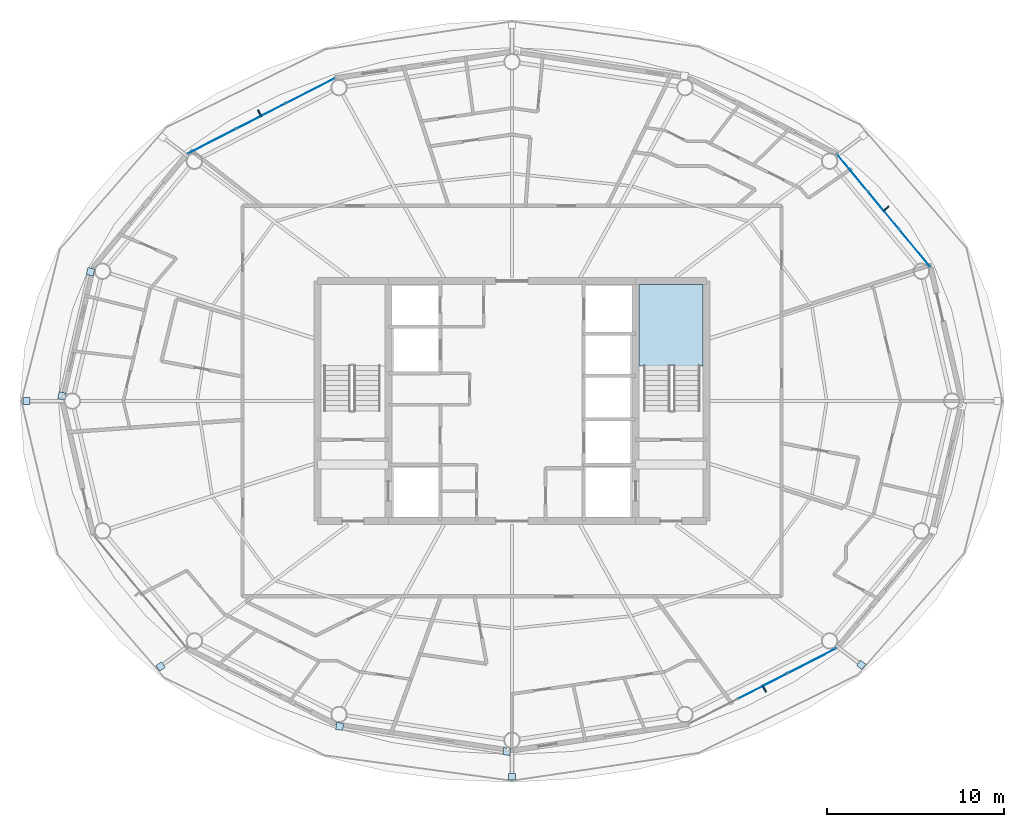
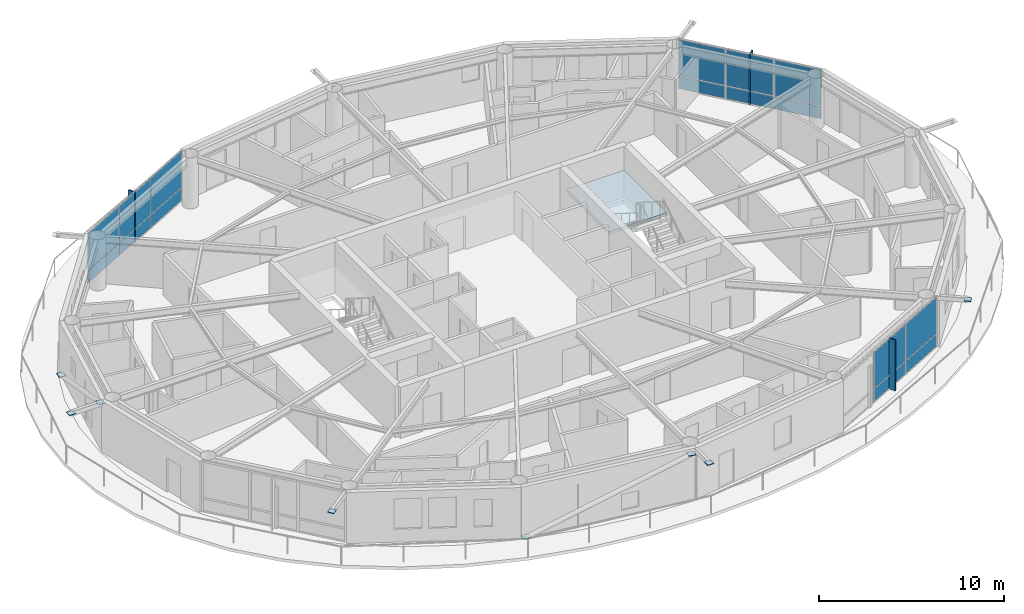
# One storey, part 14 of 23: 27 plates, 1 slab, 4 elements without a shape of their own.
"""IFC4 building model written with IfcOpenShell, lengths in metres."""

from ifc_helpers import new_model, si_unit, direction, frame, origin, origin_2d, place, context, subcontext, project, spatial, polyline, rectangle, outline, extrude, material, layer, layer_set, type_object, element, aggregate, save


model = new_model("IFC4")

# Units and contexts
model_context = context("Model", 3, precision=1e-05, world=origin(), true_north=direction((0.0, 1.0)))
body_context = subcontext(model_context, "Body", "Model", "MODEL_VIEW")
ifc_project = project(units=[si_unit("LENGTHUNIT", "METRE"), si_unit("AREAUNIT", "SQUARE_METRE"), si_unit("VOLUMEUNIT", "CUBIC_METRE"), si_unit("PLANEANGLEUNIT", "RADIAN"), si_unit("MASSUNIT", "GRAM", prefix="KILO")], contexts=[model_context])

# Site, building, storey
site_placement = place(None, origin())
site = spatial("IfcSite", under=ifc_project, at=site_placement, CompositionType="ELEMENT")
building_placement = place(site_placement, origin())
building = spatial("IfcBuilding", under=site, at=building_placement, Name="Sarneth Arch Tower", CompositionType="ELEMENT")
storey_placement = place(building_placement, frame((0.0, 0.0, 220.800048828125)))
storey = spatial("IfcBuildingStorey", under=building, at=storey_placement, Name="L56", CompositionType="ELEMENT", Elevation=220.800048828125)

# Curtain wall, plates
ifc_material_1 = material(Name="Anodised aluminium Type AA25 and solar-control low-e laminated IGU", Category="aluminium")
ifc_layer_1 = layer(ifc_material_1, 0.179931640625)
ifc_layer_set_1 = layer_set([ifc_layer_1], Name="Anodised aluminium Type AA25 and solar-control low-e laminated IGU")
curtain_wall_type = type_object("IfcCurtainWallType", Name="CW-RES-HIGH", PredefinedType="NOTDEFINED", material=ifc_layer_set_1)
curtain_wall_1_placement = place(storey_placement, origin())
curtain_wall_1 = element("IfcCurtainWall", 1, at=curtain_wall_1_placement, inside=storey, type_object=curtain_wall_type, Name="L56 Unitised curtain wall facet 02", PredefinedType="NOTDEFINED")
ifc_material_2 = material(Name="Solar-control low-e laminated IGU", Category="glass")
ifc_layer_2 = layer(ifc_material_2, 0.028076171875)
ifc_layer_set_2 = layer_set([ifc_layer_2], Name="Solar-control low-e laminated IGU")
plate_type_1 = type_object("IfcPlateType", Name="CW-PANEL", PredefinedType="CURTAIN_PANEL", material=ifc_layer_set_2)
plate_1_placement = place(storey_placement, frame((70.799072265625, 50.650634765625, 0.059814453125), z_axis=(0.0, 0.0, 1.0), x_axis=(-0.637610094184, 0.770359245933, 0.0)))
plate_1 = element("IfcPlate", 2, at=plate_1_placement, type_object=plate_type_1, Name="Curtain wall glazed vision pane CW-L56-F02/P00-00", PredefinedType="CURTAIN_PANEL", context=body_context, shape_type="SweptSolid", body=[
    extrude(rectangle(XDim=2.686767578125, YDim=0.028076171875, at=origin_2d()), origin(), (0.0, 0.0, 1.0), 0.81005859375),
])
plate_2_placement = place(storey_placement, frame((70.799072265625, 50.650634765625, 0.929931640625), z_axis=(0.0, 0.0, 1.0), x_axis=(-0.637610094184, 0.770359245933, 0.0)))
plate_2 = element("IfcPlate", 3, at=plate_2_placement, type_object=plate_type_1, Name="Curtain wall glazed vision pane CW-L56-F02/P00-01", PredefinedType="CURTAIN_PANEL", context=body_context, shape_type="SweptSolid", body=[
    extrude(rectangle(XDim=2.686767578125, YDim=0.028076171875, at=origin_2d()), origin(), (0.0, 0.0, 1.0), 2.3701171875),
])
plate_3_placement = place(storey_placement, frame((69.0380859375, 52.778076171875, 0.059814453125), z_axis=(0.0, 0.0, 1.0), x_axis=(-0.637610094184, 0.770359245933, 0.0)))
plate_3 = element("IfcPlate", 4, at=plate_3_placement, type_object=plate_type_1, Name="Curtain wall glazed vision pane CW-L56-F02/P01-00", PredefinedType="CURTAIN_PANEL", context=body_context, shape_type="SweptSolid", body=[
    extrude(rectangle(XDim=2.716552734375, YDim=0.028076171875, at=origin_2d()), origin(), (0.0, 0.0, 1.0), 0.81005859375),
])
plate_4_placement = place(storey_placement, frame((69.0380859375, 52.778076171875, 0.929931640625), z_axis=(0.0, 0.0, 1.0), x_axis=(-0.637610094184, 0.770359245933, 0.0)))
plate_4 = element("IfcPlate", 5, at=plate_4_placement, type_object=plate_type_1, Name="Curtain wall glazed vision pane CW-L56-F02/P01-01", PredefinedType="CURTAIN_PANEL", context=body_context, shape_type="SweptSolid", body=[
    extrude(rectangle(XDim=2.716552734375, YDim=0.028076171875, at=origin_2d()), origin(), (0.0, 0.0, 1.0), 2.3701171875),
])
plate_5_placement = place(storey_placement, frame((67.27734375, 54.905517578125, 0.059814453125), z_axis=(0.0, 0.0, 1.0), x_axis=(-0.637610094184, 0.770359245933, 0.0)))
plate_5 = element("IfcPlate", 6, at=plate_5_placement, type_object=plate_type_1, Name="Curtain wall glazed vision pane CW-L56-F02/P02-00", PredefinedType="CURTAIN_PANEL", context=body_context, shape_type="SweptSolid", body=[
    extrude(rectangle(XDim=2.686767578125, YDim=0.028076171875, at=origin_2d()), origin(), (0.0, 0.0, 1.0), 0.81005859375),
])
plate_6_placement = place(storey_placement, frame((67.27734375, 54.905517578125, 0.929931640625), z_axis=(0.0, 0.0, 1.0), x_axis=(-0.637610094184, 0.770359245933, 0.0)))
plate_6 = element("IfcPlate", 7, at=plate_6_placement, type_object=plate_type_1, Name="Curtain wall glazed vision pane CW-L56-F02/P02-01", PredefinedType="CURTAIN_PANEL", context=body_context, shape_type="SweptSolid", body=[
    extrude(rectangle(XDim=2.686767578125, YDim=0.028076171875, at=origin_2d()), origin(), (0.0, 0.0, 1.0), 2.3701171875),
])
aggregate(curtain_wall_1, [plate_1, plate_2, plate_3, plate_4, plate_5, plate_6])

curtain_wall_2_placement = place(storey_placement, origin())
curtain_wall_2 = element("IfcCurtainWall", 8, at=curtain_wall_2_placement, inside=storey, type_object=curtain_wall_type, Name="L56 Unitised curtain wall facet 06", PredefinedType="NOTDEFINED")
plate_7_placement = place(storey_placement, frame((36.5791015625, 59.552978515625, 0.059814453125), z_axis=(0.0, 0.0, 1.0), x_axis=(-0.890009540525, -0.455941901753, 0.0)))
plate_7 = element("IfcPlate", 9, at=plate_7_placement, type_object=plate_type_1, Name="Curtain wall glazed vision pane CW-L56-F06/P00-00", PredefinedType="CURTAIN_PANEL", context=body_context, shape_type="SweptSolid", body=[
    extrude(rectangle(XDim=3.044677734375, YDim=0.028076171875, at=origin_2d()), origin(), (0.0, 0.0, 1.0), 0.81005859375),
])
plate_8_placement = place(storey_placement, frame((36.5791015625, 59.552978515625, 0.929931640625), z_axis=(0.0, 0.0, 1.0), x_axis=(-0.890009540525, -0.455941901753, 0.0)))
plate_8 = element("IfcPlate", 10, at=plate_8_placement, type_object=plate_type_1, Name="Curtain wall glazed vision pane CW-L56-F06/P00-01", PredefinedType="CURTAIN_PANEL", context=body_context, shape_type="SweptSolid", body=[
    extrude(rectangle(XDim=3.044677734375, YDim=0.028076171875, at=origin_2d()), origin(), (0.0, 0.0, 1.0), 2.3701171875),
])
plate_9_placement = place(storey_placement, frame((33.802490234375, 58.13037109375, 0.059814453125), z_axis=(0.0, 0.0, 1.0), x_axis=(-0.890009540525, -0.455941901753, 0.0)))
plate_9 = element("IfcPlate", 11, at=plate_9_placement, type_object=plate_type_1, Name="Curtain wall glazed vision pane CW-L56-F06/P01-00", PredefinedType="CURTAIN_PANEL", context=body_context, shape_type="SweptSolid", body=[
    extrude(rectangle(XDim=3.07470703125, YDim=0.028076171875, at=origin_2d()), origin(), (0.0, 0.0, 1.0), 0.81005859375),
])
plate_10_placement = place(storey_placement, frame((33.802490234375, 58.13037109375, 0.929931640625), z_axis=(0.0, 0.0, 1.0), x_axis=(-0.890009540525, -0.455941901753, 0.0)))
plate_10 = element("IfcPlate", 12, at=plate_10_placement, type_object=plate_type_1, Name="Curtain wall glazed vision pane CW-L56-F06/P01-01", PredefinedType="CURTAIN_PANEL", context=body_context, shape_type="SweptSolid", body=[
    extrude(rectangle(XDim=3.07470703125, YDim=0.028076171875, at=origin_2d()), origin(), (0.0, 0.0, 1.0), 2.3701171875),
])
plate_11_placement = place(storey_placement, frame((31.02587890625, 56.7080078125, 0.059814453125), z_axis=(0.0, 0.0, 1.0), x_axis=(-0.890009540525, -0.455941901753, 0.0)))
plate_11 = element("IfcPlate", 13, at=plate_11_placement, type_object=plate_type_1, Name="Curtain wall glazed vision pane CW-L56-F06/P02-00", PredefinedType="CURTAIN_PANEL", context=body_context, shape_type="SweptSolid", body=[
    extrude(rectangle(XDim=3.044677734375, YDim=0.028076171875, at=origin_2d()), origin(), (0.0, 0.0, 1.0), 0.81005859375),
])
plate_12_placement = place(storey_placement, frame((31.02587890625, 56.7080078125, 0.929931640625), z_axis=(0.0, 0.0, 1.0), x_axis=(-0.890009540525, -0.455941901753, 0.0)))
plate_12 = element("IfcPlate", 14, at=plate_12_placement, type_object=plate_type_1, Name="Curtain wall glazed vision pane CW-L56-F06/P02-01", PredefinedType="CURTAIN_PANEL", context=body_context, shape_type="SweptSolid", body=[
    extrude(rectangle(XDim=3.044677734375, YDim=0.028076171875, at=origin_2d()), origin(), (0.0, 0.0, 1.0), 2.3701171875),
])
aggregate(curtain_wall_2, [plate_7, plate_8, plate_9, plate_10, plate_11, plate_12])

curtain_wall_3_placement = place(storey_placement, origin())
curtain_wall_3 = element("IfcCurtainWall", 15, at=curtain_wall_3_placement, inside=storey, type_object=curtain_wall_type, Name="L56 Unitised curtain wall facet 14", PredefinedType="NOTDEFINED")
plate_13_placement = place(storey_placement, frame((62.197509765625, 25.86962890625, 0.059814453125), z_axis=(0.0, 0.0, 1.0), x_axis=(0.890009540525, 0.455941901753, 0.0)))
plate_13 = element("IfcPlate", 16, at=plate_13_placement, type_object=plate_type_1, Name="Curtain wall glazed vision pane CW-L56-F14/P01-00", PredefinedType="CURTAIN_PANEL", context=body_context, shape_type="SweptSolid", body=[
    extrude(rectangle(XDim=3.07470703125, YDim=0.028076171875, at=origin_2d()), origin(), (0.0, 0.0, 1.0), 0.81005859375),
])
plate_14_placement = place(storey_placement, frame((62.197509765625, 25.86962890625, 0.929931640625), z_axis=(0.0, 0.0, 1.0), x_axis=(0.890009540525, 0.455941901753, 0.0)))
plate_14 = element("IfcPlate", 17, at=plate_14_placement, type_object=plate_type_1, Name="Curtain wall glazed vision pane CW-L56-F14/P01-01", PredefinedType="CURTAIN_PANEL", context=body_context, shape_type="SweptSolid", body=[
    extrude(rectangle(XDim=3.07470703125, YDim=0.028076171875, at=origin_2d()), origin(), (0.0, 0.0, 1.0), 2.3701171875),
])
plate_15_placement = place(storey_placement, frame((64.97412109375, 27.2919921875, 0.059814453125), z_axis=(0.0, 0.0, 1.0), x_axis=(0.890009540525, 0.455941901753, 0.0)))
plate_15 = element("IfcPlate", 18, at=plate_15_placement, type_object=plate_type_1, Name="Curtain wall glazed vision pane CW-L56-F14/P02-00", PredefinedType="CURTAIN_PANEL", context=body_context, shape_type="SweptSolid", body=[
    extrude(rectangle(XDim=3.044677734375, YDim=0.028076171875, at=origin_2d()), origin(), (0.0, 0.0, 1.0), 0.81005859375),
])
plate_16_placement = place(storey_placement, frame((64.97412109375, 27.2919921875, 0.929931640625), z_axis=(0.0, 0.0, 1.0), x_axis=(0.890009540525, 0.455941901753, 0.0)))
plate_16 = element("IfcPlate", 19, at=plate_16_placement, type_object=plate_type_1, Name="Curtain wall glazed vision pane CW-L56-F14/P02-01", PredefinedType="CURTAIN_PANEL", context=body_context, shape_type="SweptSolid", body=[
    extrude(rectangle(XDim=3.044677734375, YDim=0.028076171875, at=origin_2d()), origin(), (0.0, 0.0, 1.0), 2.3701171875),
])
aggregate(curtain_wall_3, [plate_13, plate_14, plate_15, plate_16])

# Plates
ifc_material_3 = material(Name="Steel S355", Category="steel")
ifc_layer_3 = layer(ifc_material_3, 0.035888671875)
ifc_layer_set_3 = layer_set([ifc_layer_3], Name="Steel S355")
plate_type_2 = type_object("IfcPlateType", Name="PLT-GUSSET-30", PredefinedType="SHEET", material=ifc_layer_set_3)
for number, where, z_axis, x_axis, name in (
    (20, (24.148193359375, 49.3154296875, 0.001953125), (0.0, 0.0, 1.0), (-0.225461202458, -0.974252147129, 0.0), "Steel end cap plate GP-1"),
    (21, (22.5234375, 42.292236328125, 3.0185546875), (0.0, 0.0, 1.0), (-0.225461202458, -0.974252147129, 0.0), "Steel end cap plate GP-1"),
):
    element("IfcPlate", number, at=place(storey_placement, frame(where, z_axis=z_axis, x_axis=x_axis)), inside=storey, type_object=plate_type_2, Name=name, PredefinedType="SHEET", context=body_context, shape_type="SweptSolid", body=[
        extrude(rectangle(XDim=0.404052734375, YDim=0.404052734375, at=origin_2d()), origin(), (0.0, 0.0, 1.0), 0.035888671875),
    ])
for number, where, z_axis, x_axis, name in (
    (22, (20.52734375, 42.0, 3.18212890625), (0.0, 0.0, 1.0), (-1.0, 0.0, 0.0), "Steel end cap plate GP-1"),
    (23, (28.109130859375, 26.9765625, 3.18212890625), (0.0, 0.0, 1.0), (-0.798004853043, -0.602651022168, 0.0), "Steel end cap plate GP-1"),
):
    element("IfcPlate", number, at=place(storey_placement, frame(where, z_axis=z_axis, x_axis=x_axis)), inside=storey, type_object=plate_type_2, Name=name, PredefinedType="SHEET", context=body_context, shape_type="SweptSolid", body=[
        extrude(rectangle(XDim=0.3798828125, YDim=0.3798828125, at=origin_2d()), origin(), (0.0, 0.0, 1.0), 0.035888671875),
    ])
for number, where, z_axis, x_axis, name in (
    (24, (38.245849609375, 23.588623046875, 0.001953125), (0.0, 0.0, 1.0), (0.988860535448, -0.148845024885, 0.0), "Steel end cap plate GP-1"),
    (25, (47.703369140625, 22.16455078125, 3.0185546875), (0.0, 0.0, 1.0), (0.988860535448, -0.148845024885, 0.0), "Steel end cap plate GP-1"),
):
    element("IfcPlate", number, at=place(storey_placement, frame(where, z_axis=z_axis, x_axis=x_axis)), inside=storey, type_object=plate_type_2, Name=name, PredefinedType="SHEET", context=body_context, shape_type="SweptSolid", body=[
        extrude(rectangle(XDim=0.404052734375, YDim=0.404052734375, at=origin_2d()), origin(), (0.0, 0.0, 1.0), 0.035888671875),
    ])
for number, where, z_axis, x_axis, name in (
    (26, (48.0, 20.7392578125, 3.18212890625), (0.0, 0.0, 1.0), (0.0, -1.0, 0.0), "Steel end cap plate GP-1"),
    (27, (67.77001953125, 27.06787109375, 3.18212890625), (0.0, 0.0, 1.0), (0.798004853043, -0.602651022168, 0.0), "Steel end cap plate GP-1"),
):
    element("IfcPlate", number, at=place(storey_placement, frame(where, z_axis=z_axis, x_axis=x_axis)), inside=storey, type_object=plate_type_2, Name=name, PredefinedType="SHEET", context=body_context, shape_type="SweptSolid", body=[
        extrude(rectangle(XDim=0.3798828125, YDim=0.3798828125, at=origin_2d()), origin(), (0.0, 0.0, 1.0), 0.035888671875),
    ])
ifc_material_4 = material(Name="Extruded glazed terracotta baguette fin on Aluminium 6063-T6 carrier", Category="masonry")
ifc_layer_4 = layer(ifc_material_4, 0.080078125)
ifc_layer_set_4 = layer_set([ifc_layer_4], Name="Extruded glazed terracotta baguette fin on Aluminium 6063-T6 carrier")
plate_type_3 = type_object("IfcPlateType", Name="SHADE-TERRA-FIN", PredefinedType="SHEET", material=ifc_layer_set_4)
for number, where, z_axis, x_axis, name in (
    (28, (69.169189453125, 52.886474609375, 0.009765625), (0.0, 0.0, 1.0), (0.770401979567, 0.63755845997, 0.0), "L56 Terracotta vertical shading fin 02"),
    (29, (33.724853515625, 58.28173828125, 0.009765625), (0.0, 0.0, 1.0), (-0.456010959102, 0.889974159838, 0.0), "L56 Terracotta vertical shading fin 06"),
    (30, (62.275146484375, 25.71826171875, 0.009765625), (0.0, 0.0, 1.0), (0.456010959102, -0.889974159838, 0.0), "L56 Terracotta vertical shading fin 14"),
):
    element("IfcPlate", number, at=place(storey_placement, frame(where, z_axis=z_axis, x_axis=x_axis)), inside=storey, type_object=plate_type_3, Name=name, PredefinedType="SHEET", context=body_context, shape_type="SweptSolid", body=[
        extrude(rectangle(XDim=0.419921875, YDim=0.080078125, at=origin_2d()), origin(), (0.0, 0.0, 1.0), 3.340087890625),
    ])

# Stair, slab
ifc_material_5 = material(Name="Concrete C50/60", Category="concrete")
stair_type = type_object("IfcStairType", Name="STAIR-CORE-RC", PredefinedType="HALF_TURN_STAIR", material=ifc_material_5)
stair_placement = place(storey_placement, origin())
stair = element("IfcStair", 31, at=stair_placement, inside=storey, type_object=stair_type, Name="L56 Core Exit Stair 2", PredefinedType="HALF_TURN_STAIR")
ifc_material_6 = material(Name="Concrete C50/60", Category="concrete")
ifc_layer_5 = layer(ifc_material_6, 0.199951171875)
ifc_layer_set_5 = layer_set([ifc_layer_5], Name="Concrete C50/60")
slab_type = type_object("IfcSlabType", Name="SLAB-LANDING-200", PredefinedType="LANDING", material=ifc_layer_set_5)
slab_placement = place(storey_placement, frame((0.0, 0.0, 1.599853515625)))
slab = element("IfcSlab", 32, at=slab_placement, type_object=slab_type, Name="ST-2 landing 1", PredefinedType="LANDING", context=body_context, shape_type="SweptSolid", body=[
    extrude(outline(polyline([(55.199951171875, 43.985107421875), (58.800048828125, 43.985107421875), (58.800048828125, 48.60009765625), (55.199951171875, 48.60009765625), (55.199951171875, 43.985107421875)])), origin(), (0.0, 0.0, 1.0), 0.2001953125),
])
aggregate(stair, [slab])

save(model, "model.ifc")
